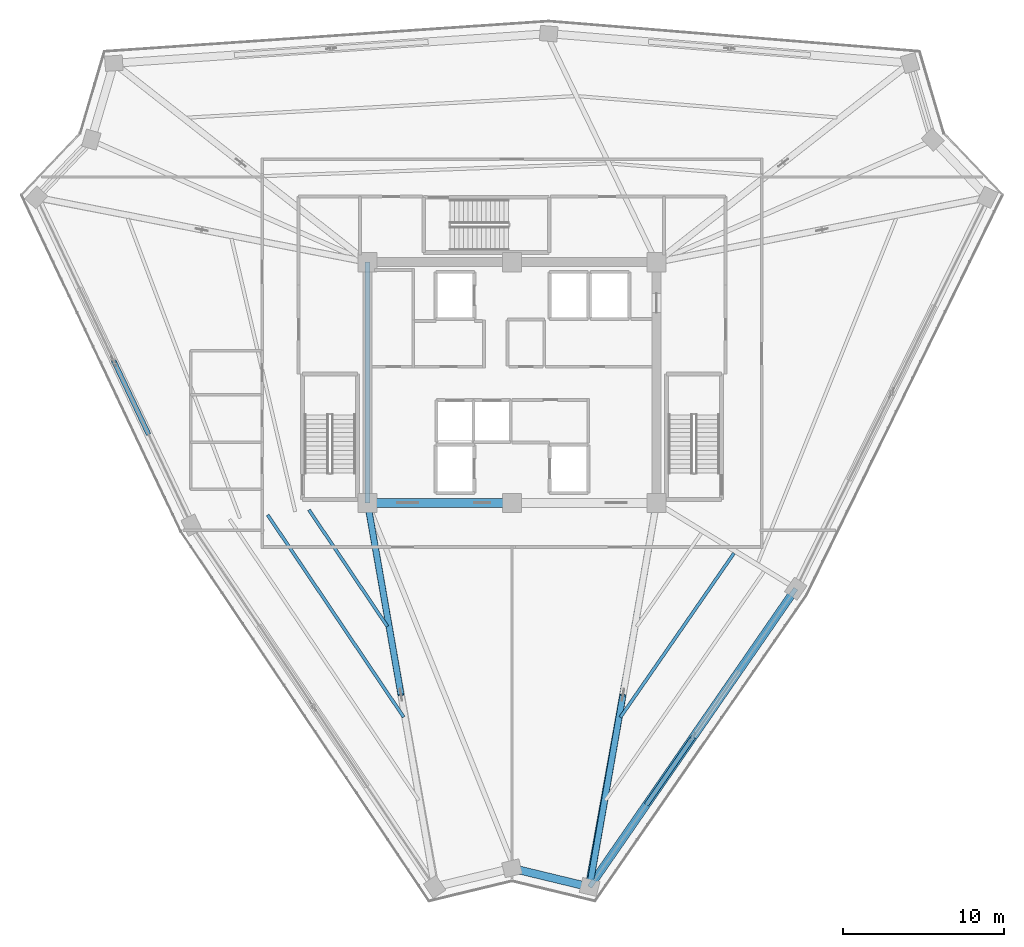
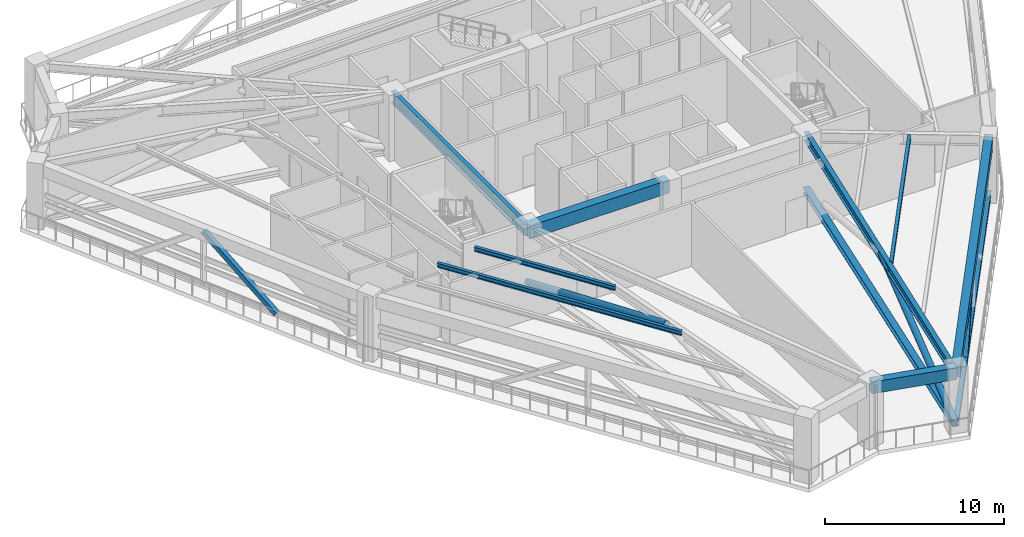
# One storey, part 3 of 22: 8 beams, 6 members.
"""IFC4 building model written with IfcOpenShell, lengths in metres."""

from ifc_helpers import new_model, si_unit, direction, frame, origin, origin_2d, place, context, subcontext, project, spatial, rectangle, hollow_rectangle, hollow_circle, i_section, extrude, source, transform, mapped, material, material_profile, profile_set, type_object, element, save


model = new_model("IFC4")

# Units and contexts
model_context = context("Model", 3, precision=1e-05, world=origin(), true_north=direction((0.0, 1.0)))
body_context = subcontext(model_context, "Body", "Model", "MODEL_VIEW")
ifc_project = project(units=[si_unit("LENGTHUNIT", "METRE"), si_unit("AREAUNIT", "SQUARE_METRE"), si_unit("VOLUMEUNIT", "CUBIC_METRE"), si_unit("PLANEANGLEUNIT", "RADIAN"), si_unit("MASSUNIT", "GRAM", prefix="KILO")], contexts=[model_context])

# Site, building, storey
site_placement = place(None, origin())
site = spatial("IfcSite", under=ifc_project, at=site_placement, CompositionType="ELEMENT")
building_placement = place(site_placement, origin())
building = spatial("IfcBuilding", under=site, at=building_placement, Name="Liaohun Quay Tower", CompositionType="ELEMENT")
storey_placement = place(building_placement, frame((0.0, 0.0, 324.0)))
storey = spatial("IfcBuildingStorey", under=building, at=storey_placement, Name="L84", CompositionType="ELEMENT", Elevation=324.0)

# Beams
ifc_material_1 = material(Name="Steel Q355D", Category="steel")
ifc_material_profile_1 = material_profile(ifc_material_1, i_section(OverallWidth=0.300048828125, OverallDepth=0.800048828125, WebThickness=0.013916015625, FlangeThickness=0.02587890625, at=origin_2d()), Name="HN800x300x14x26")
ifc_profile_set_1 = profile_set([ifc_material_profile_1], Name="Steel Q355D")
beam_type_1 = type_object("IfcBeamType", Name="BM-RAD-M1", PredefinedType="BEAM", material=ifc_profile_set_1)
shared_shape_1 = source(origin(), body_context, "Body", "SweptSolid", [
    extrude(i_section(OverallWidth=0.300048828125, OverallDepth=0.800048828125, WebThickness=0.013916015625, FlangeThickness=0.02587890625, at=origin_2d()), origin(), (0.0, 0.0, 1.0), 15.0),
])
beam_1_placement = place(storey_placement, frame((51.0, 61.5, 3.919921875), z_axis=(0.0, -1.0, 0.0), x_axis=(1.0, 0.0, 0.0)))
element("IfcBeam", 1, at=beam_1_placement, inside=storey, type_object=beam_type_1, Name="L84 Core Coupling/Ring Beam CC6-CC1", PredefinedType="BEAM", context=body_context, shape_type="MappedRepresentation", body=[
    mapped(shared_shape_1, transform((0.0, 0.0, 0.0), x_axis=(1.0, 0.0, 0.0), y_axis=(0.0, 1.0, 0.0), z_axis=(0.0, 0.0, 1.0), scale=1.0)),
])
ifc_material_2 = material(Name="Concrete C55", Category="concrete")
ifc_material_profile_2 = material_profile(ifc_material_2, rectangle(XDim=0.550048828125, YDim=0.89990234375, at=origin_2d()), Name="RC550x900")
ifc_profile_set_2 = profile_set([ifc_material_profile_2], Name="Concrete C55")
beam_type_2 = type_object("IfcBeamType", Name="BM-CPL-2", PredefinedType="LINTEL", material=ifc_profile_set_2)
shared_shape_2 = source(origin(), body_context, "Body", "SweptSolid", [
    extrude(rectangle(XDim=0.550048828125, YDim=0.89990234375, at=origin_2d()), origin(), (0.0, 0.0, 1.0), 9.0),
])
beam_2_placement = place(storey_placement, frame((51.0, 46.5, 3.8701171875), z_axis=(1.0, 0.0, 0.0), x_axis=(0.0, 1.0, 0.0)))
element("IfcBeam", 2, at=beam_2_placement, inside=storey, type_object=beam_type_2, Name="L84 Core Coupling/Ring Beam CC1-CC2", PredefinedType="LINTEL", context=body_context, shape_type="MappedRepresentation", body=[
    mapped(shared_shape_2, transform((0.0, 0.0, 0.0), x_axis=(1.0, 0.0, 0.0), y_axis=(0.0, 1.0, 0.0), z_axis=(0.0, 0.0, 1.0), scale=1.0)),
])
ifc_material_3 = material(Name="Precast concrete C50", Category="concrete")
ifc_material_profile_3 = material_profile(ifc_material_3, rectangle(XDim=0.5, YDim=0.800048828125, at=origin_2d()), Name="RC500x800")
ifc_profile_set_3 = profile_set([ifc_material_profile_3], Name="Precast concrete C50")
beam_type_3 = type_object("IfcBeamType", Name="BM-SPD-Z4", PredefinedType="SPANDREL", material=ifc_profile_set_3)
shared_shape_3 = source(origin(), body_context, "Body", "SweptSolid", [
    extrude(rectangle(XDim=0.5, YDim=0.800048828125, at=origin_2d()), origin(), (0.0, 0.0, 1.0), 22.59423828125),
])
beam_3_placement = place(storey_placement, frame((77.679931640625, 41.154052734375, 3.919921875), z_axis=(-0.568682251057, -0.822557291216, 0.0), x_axis=(0.822557291216, -0.568682251057, 0.0)))
element("IfcBeam", 3, at=beam_3_placement, inside=storey, type_object=beam_type_3, Name="L84 Precast Spandrel Beam PC10-PC11", PredefinedType="SPANDREL", context=body_context, shape_type="MappedRepresentation", body=[
    mapped(shared_shape_3, transform((0.0, 0.0, 0.0), x_axis=(1.0, 0.0, 0.0), y_axis=(0.0, 1.0, 0.0), z_axis=(0.0, 0.0, 1.0), scale=1.0)),
])
shared_shape_4 = source(origin(), body_context, "Body", "SweptSolid", [
    extrude(rectangle(XDim=0.5, YDim=0.800048828125, at=origin_2d()), origin(), (0.0, 0.0, 1.0), 4.9697265625),
])
beam_4_placement = place(storey_placement, frame((64.8310546875, 22.569091796875, 3.919921875), z_axis=(-0.972086844907, 0.234621324605, 0.0), x_axis=(-0.234621324605, -0.972086844907, 0.0)))
element("IfcBeam", 4, at=beam_4_placement, inside=storey, type_object=beam_type_3, Name="L84 Precast Spandrel Beam PC11-PC12", PredefinedType="SPANDREL", context=body_context, shape_type="MappedRepresentation", body=[
    mapped(shared_shape_4, transform((0.0, 0.0, 0.0), x_axis=(1.0, 0.0, 0.0), y_axis=(0.0, 1.0, 0.0), z_axis=(0.0, 0.0, 1.0), scale=1.0)),
])
ifc_material_profile_4 = material_profile(ifc_material_1, i_section(OverallWidth=0.300048828125, OverallDepth=0.587890625, WebThickness=0.011962890625, FlangeThickness=0.02001953125, at=origin_2d()), Name="HM588x300x12x20")
ifc_profile_set_4 = profile_set([ifc_material_profile_4], Name="Steel Q355D")
beam_type_4 = type_object("IfcBeamType", Name="BM-RAD-U2", PredefinedType="BEAM", material=ifc_profile_set_4)
shared_shape_5 = source(origin(), body_context, "Body", "SweptSolid", [
    extrude(i_section(OverallWidth=0.300048828125, OverallDepth=0.587890625, WebThickness=0.011962890625, FlangeThickness=0.02001953125, at=origin_2d()), origin(), (0.0, 0.0, 1.0), 23.925048828125),
])
beam_5_placement = place(storey_placement, frame((69.0, 46.5, 4.02587890625), z_axis=(-0.176801703683, -0.984246492285, 0.0), x_axis=(0.984246492285, -0.176801703683, 0.0)))
element("IfcBeam", 5, at=beam_5_placement, inside=storey, type_object=beam_type_4, Name="L84 Radial Primary Girder CC3-PC11", PredefinedType="BEAM", context=body_context, shape_type="MappedRepresentation", body=[
    mapped(shared_shape_5, transform((0.0, 0.0, 0.0), x_axis=(1.0, 0.0, 0.0), y_axis=(0.0, 1.0, 0.0), z_axis=(0.0, 0.0, 1.0), scale=1.0)),
])
ifc_material_profile_5 = material_profile(ifc_material_1, i_section(OverallWidth=0.199951171875, OverallDepth=0.2939453125, WebThickness=0.008056640625, FlangeThickness=0.011962890625, at=origin_2d()), Name="HM294x200x8x12")
ifc_profile_set_5 = profile_set([ifc_material_profile_5], Name="Steel Q355D")
beam_type_5 = type_object("IfcBeamType", Name="BM-SEC-J4", PredefinedType="JOIST", material=ifc_profile_set_5)
shared_shape_6 = source(origin(), body_context, "Body", "SweptSolid", [
    extrude(i_section(OverallWidth=0.199951171875, OverallDepth=0.2939453125, WebThickness=0.008056640625, FlangeThickness=0.011962890625, at=origin_2d()), origin(), (0.0, 0.0, 1.0), 8.74755859375),
])
beam_6_placement = place(storey_placement, frame((52.23291015625, 38.803955078125, 4.173095703125), z_axis=(-0.558186124533, 0.829715764813, 0.0), x_axis=(-0.829715764813, -0.558186124533, 0.0)))
element("IfcBeam", 6, at=beam_6_placement, inside=storey, type_object=beam_type_5, Name="L84 Wing Secondary Floor Joist SJ-01", PredefinedType="JOIST", context=body_context, shape_type="MappedRepresentation", body=[
    mapped(shared_shape_6, transform((0.0, 0.0, 0.0), x_axis=(1.0, 0.0, 0.0), y_axis=(0.0, 1.0, 0.0), z_axis=(0.0, 0.0, 1.0), scale=1.0)),
])
shared_shape_7 = source(origin(), body_context, "Body", "SweptSolid", [
    extrude(i_section(OverallWidth=0.199951171875, OverallDepth=0.2939453125, WebThickness=0.008056640625, FlangeThickness=0.011962890625, at=origin_2d()), origin(), (0.0, 0.0, 1.0), 15.186279296875),
])
beam_7_placement = place(storey_placement, frame((53.25, 33.153076171875, 4.173095703125), z_axis=(-0.558138257053, 0.829747965357, 0.0), x_axis=(-0.829747965357, -0.558138257053, 0.0)))
element("IfcBeam", 7, at=beam_7_placement, inside=storey, type_object=beam_type_5, Name="L84 Wing Secondary Floor Joist SJ-02", PredefinedType="JOIST", context=body_context, shape_type="MappedRepresentation", body=[
    mapped(shared_shape_7, transform((0.0, 0.0, 0.0), x_axis=(1.0, 0.0, 0.0), y_axis=(0.0, 1.0, 0.0), z_axis=(0.0, 0.0, 1.0), scale=1.0)),
])
shared_shape_8 = source(origin(), body_context, "Body", "SweptSolid", [
    extrude(i_section(OverallWidth=0.199951171875, OverallDepth=0.2939453125, WebThickness=0.008056640625, FlangeThickness=0.011962890625, at=origin_2d()), origin(), (0.0, 0.0, 1.0), 12.434814453125),
])
beam_8_placement = place(storey_placement, frame((73.8310546875, 43.362060546875, 4.173095703125), z_axis=(-0.569293693231, -0.822134229216, 0.0), x_axis=(0.822134229216, -0.569293693231, 0.0)))
element("IfcBeam", 8, at=beam_8_placement, inside=storey, type_object=beam_type_5, Name="L84 Wing Secondary Floor Joist SJ-13", PredefinedType="JOIST", context=body_context, shape_type="MappedRepresentation", body=[
    mapped(shared_shape_8, transform((0.0, 0.0, 0.0), x_axis=(1.0, 0.0, 0.0), y_axis=(0.0, 1.0, 0.0), z_axis=(0.0, 0.0, 1.0), scale=1.0)),
])

# Members
ifc_material_4 = material(Name="Steel Q420D", Category="steel")
ifc_material_profile_6 = material_profile(ifc_material_4, hollow_circle(Radius=0.202880859375, WallThickness=0.01611328125, at=origin_2d()), Name="CHS406x16")
ifc_profile_set_6 = profile_set([ifc_material_profile_6], Name="Steel Q420D")
member_type_1 = type_object("IfcMemberType", Name="MEM-OUT-DG2", PredefinedType="BRACE", material=ifc_profile_set_6)
shared_shape_9 = source(origin(), body_context, "Body", "SweptSolid", [
    extrude(hollow_circle(Radius=0.202880859375, WallThickness=0.01611328125, at=origin_2d()), origin(), (0.0, 0.0, 1.0), 12.688232421875),
])
member_1_placement = place(storey_placement, frame((51.0, 46.5, 0.35009765625), z_axis=(0.16455346186, -0.943007555224, 0.289238498442), x_axis=(0.985114227309, 0.171901015568, 0.0)))
element("IfcMember", 9, at=member_1_placement, inside=storey, type_object=member_type_1, Name="L84 Outrigger Diagonal OD-01A", PredefinedType="BRACE", context=body_context, shape_type="MappedRepresentation", body=[
    mapped(shared_shape_9, transform((0.0, 0.0, 0.0), x_axis=(1.0, 0.0, 0.0), y_axis=(0.0, 1.0, 0.0), z_axis=(0.0, 0.0, 1.0), scale=1.0)),
])
ifc_material_profile_7 = material_profile(ifc_material_4, i_section(OverallWidth=0.407958984375, OverallDepth=0.39990234375, WebThickness=0.02099609375, FlangeThickness=0.02099609375, at=origin_2d()), Name="HW400x408x21x21")
ifc_profile_set_7 = profile_set([ifc_material_profile_7], Name="Steel Q420D")
member_type_2 = type_object("IfcMemberType", Name="MEM-OUT-CH2", PredefinedType="CHORD", material=ifc_profile_set_7)
shared_shape_10 = source(origin(), body_context, "Body", "SweptSolid", [
    extrude(i_section(OverallWidth=0.407958984375, OverallDepth=0.39990234375, WebThickness=0.02099609375, FlangeThickness=0.02099609375, at=origin_2d()), origin(), (0.0, 0.0, 1.0), 24.291259765625),
])
member_2_placement = place(storey_placement, frame((69.0, 46.5, 0.35009765625), z_axis=(-0.17162280381, -0.985162734381, 0.0), x_axis=(0.985162734381, -0.17162280381, 0.0)))
element("IfcMember", 10, at=member_2_placement, inside=storey, type_object=member_type_2, Name="L84 Outrigger Bottom Chord OC-06", PredefinedType="CHORD", context=body_context, shape_type="MappedRepresentation", body=[
    mapped(shared_shape_10, transform((0.0, 0.0, 0.0), x_axis=(1.0, 0.0, 0.0), y_axis=(0.0, 1.0, 0.0), z_axis=(0.0, 0.0, 1.0), scale=1.0)),
])
shared_shape_11 = source(origin(), body_context, "Body", "SweptSolid", [
    extrude(hollow_circle(Radius=0.202880859375, WallThickness=0.01611328125, at=origin_2d()), origin(), (0.0, 0.0, 1.0), 12.6884765625),
])
member_3_placement = place(storey_placement, frame((66.916015625, 34.534912109375, 4.02001953125), z_axis=(-0.164319857661, -0.943049749845, -0.289233735405), x_axis=(0.985156824882, -0.171656722527, 0.0)))
element("IfcMember", 11, at=member_3_placement, inside=storey, type_object=member_type_1, Name="L84 Outrigger Diagonal OD-06B", PredefinedType="BRACE", context=body_context, shape_type="MappedRepresentation", body=[
    mapped(shared_shape_11, transform((0.0, 0.0, 0.0), x_axis=(1.0, 0.0, 0.0), y_axis=(0.0, 1.0, 0.0), z_axis=(0.0, 0.0, 1.0), scale=1.0)),
])
ifc_material_profile_8 = material_profile(ifc_material_1, i_section(OverallWidth=0.300048828125, OverallDepth=0.300048828125, WebThickness=0.010009765625, FlangeThickness=0.014892578125, at=origin_2d()), Name="HW300x300x10x15")
ifc_profile_set_8 = profile_set([ifc_material_profile_8], Name="Steel Q355D")
member_type_3 = type_object("IfcMemberType", Name="MEM-BLT-CHD", PredefinedType="CHORD", material=ifc_profile_set_8)
shared_shape_12 = source(origin(), body_context, "Body", "SweptSolid", [
    extrude(i_section(OverallWidth=0.300048828125, OverallDepth=0.300048828125, WebThickness=0.010009765625, FlangeThickness=0.014892578125, at=origin_2d()), origin(), (0.0, 0.0, 1.0), 22.59423828125),
])
member_4_placement = place(storey_placement, frame((77.679931640625, 41.154052734375, 0.35009765625), z_axis=(-0.568682251057, -0.822557291216, 0.0), x_axis=(0.822557291216, -0.568682251057, 0.0)))
element("IfcMember", 12, at=member_4_placement, inside=storey, type_object=member_type_3, Name="L84 Belt Truss Bottom Chord BC-1-06", PredefinedType="CHORD", context=body_context, shape_type="MappedRepresentation", body=[
    mapped(shared_shape_12, transform((0.0, 0.0, 0.0), x_axis=(1.0, 0.0, 0.0), y_axis=(0.0, 1.0, 0.0), z_axis=(0.0, 0.0, 1.0), scale=1.0)),
])
ifc_material_profile_9 = material_profile(ifc_material_1, hollow_rectangle(XDim=0.300048828125, YDim=0.300048828125, WallThickness=0.013916015625, at=origin_2d()), Name="SHS300x300x14")
ifc_profile_set_9 = profile_set([ifc_material_profile_9], Name="Steel Q355D")
member_type_4 = type_object("IfcMemberType", Name="MEM-BLT-DG3", PredefinedType="BRACE", material=ifc_profile_set_9)
shared_shape_13 = source(origin(), body_context, "Body", "SweptSolid", [
    extrude(hollow_rectangle(XDim=0.300048828125, YDim=0.300048828125, WallThickness=0.013916015625, at=origin_2d()), origin(), (0.0, 0.0, 1.0), 6.17822265625),
])
member_5_placement = place(storey_placement, frame((37.326904296875, 50.830078125, 0.35009765625), z_axis=(-0.34426899542, 0.727066717945, 0.594014180344), x_axis=(-0.903800843431, -0.427953309852, 0.0)))
element("IfcMember", 13, at=member_5_placement, inside=storey, type_object=member_type_4, Name="L84 Belt Truss Diagonal BD-02A", PredefinedType="BRACE", context=body_context, shape_type="MappedRepresentation", body=[
    mapped(shared_shape_13, transform((0.0, 0.0, 0.0), x_axis=(1.0, 0.0, 0.0), y_axis=(0.0, 1.0, 0.0), z_axis=(0.0, 0.0, 1.0), scale=1.0)),
])
shared_shape_14 = source(origin(), body_context, "Body", "SweptSolid", [
    extrude(hollow_rectangle(XDim=0.300048828125, YDim=0.300048828125, WallThickness=0.013916015625, at=origin_2d()), origin(), (0.0, 0.0, 1.0), 6.178466796875),
])
member_6_placement = place(storey_placement, frame((71.256103515625, 31.861083984375, 4.02001953125), z_axis=(-0.457577977152, -0.661670399604, -0.593982051171), x_axis=(0.822483845597, -0.568788470111, 0.0)))
element("IfcMember", 14, at=member_6_placement, inside=storey, type_object=member_type_4, Name="L84 Belt Truss Diagonal BD-06B", PredefinedType="BRACE", context=body_context, shape_type="MappedRepresentation", body=[
    mapped(shared_shape_14, transform((0.0, 0.0, 0.0), x_axis=(1.0, 0.0, 0.0), y_axis=(0.0, 1.0, 0.0), z_axis=(0.0, 0.0, 1.0), scale=1.0)),
])

save(model, "model.ifc")
